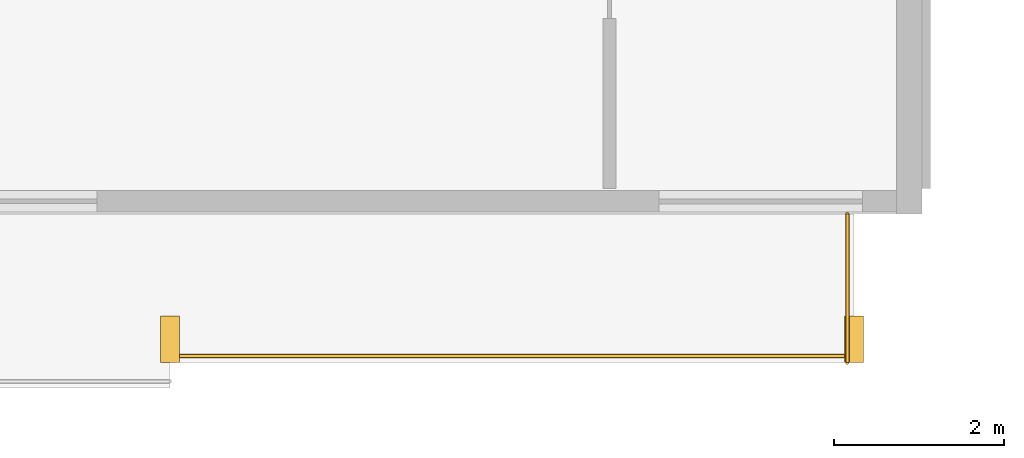
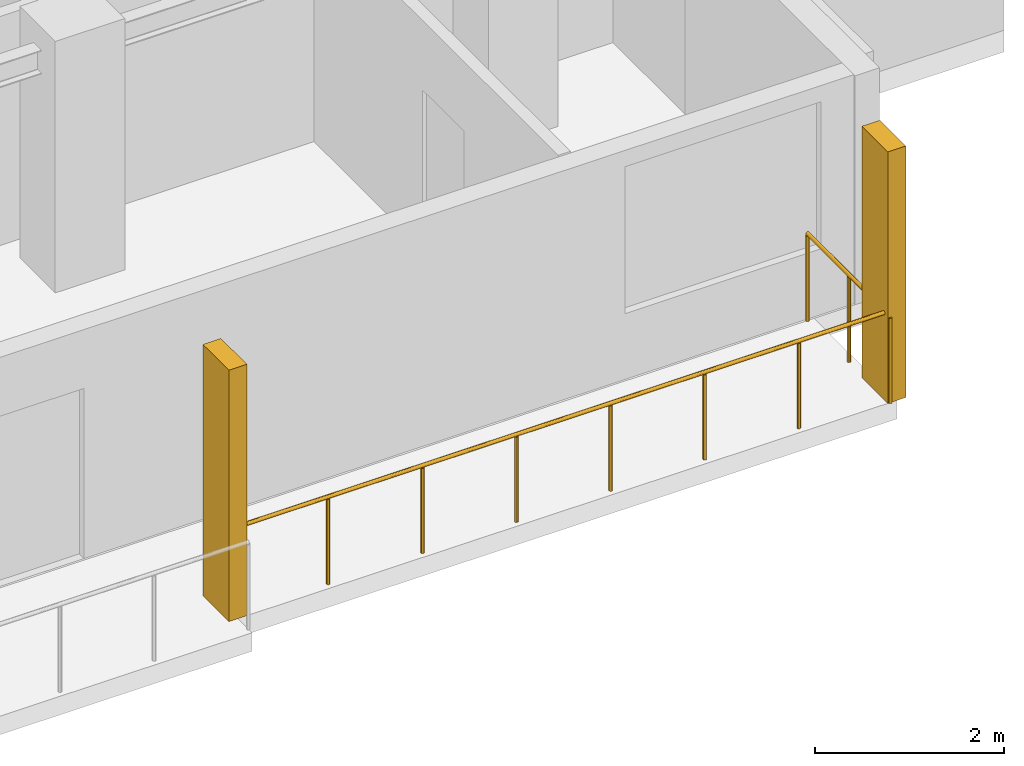
# One storey, part 19 of 21: 2 railings, 2 shading devices.
"""IFC4 building model written with IfcOpenShell, lengths in metres."""

import ifcopenshell
import ifcopenshell.guid

model = None  # the IFC model being written
_history = None  # IfcOwnerHistory: only IFC2X3 demands one
_inside = {}  # id of a spatial element -> (the spatial element, [elements in it])
_under = {}  # id of a project, library or spatial element -> (it, [spatial elements below it])
_declared = {}  # id of a project -> (the project, [libraries it declares])
_typed = {}  # id of a type object -> (the type object, [elements of that type])
_made_of = {}  # id of a material, layer set ... -> (it, [elements and type objects made of it])


def new_model(schema):
    """Start an empty IFC model of exactly this schema.

    Asked for "IFC4X3", IfcOpenShell would pick the latest addendum, in which some entities
    have other attributes; the version numbers below select the first issue.
    IFC2X3 requires an IfcOwnerHistory on every rooted entity: one is made here for all.
    """
    global model, _history
    if schema == "IFC4X3":
        model = ifcopenshell.file(schema_version=(4, 3, 0, 0))
    else:
        model = ifcopenshell.file(schema=schema)
    _inside.clear()
    _under.clear()
    _declared.clear()
    _typed.clear()
    _made_of.clear()
    _history = None
    if model.schema == "IFC2X3":
        org = make("IfcOrganization", Name="unknown")
        user = make(
            "IfcPersonAndOrganization",
            ThePerson=make("IfcPerson", FamilyName="unknown"),
            TheOrganization=org,
        )
        app = make(
            "IfcApplication",
            ApplicationDeveloper=org,
            Version="unknown",
            ApplicationFullName="unknown",
            ApplicationIdentifier="unknown",
        )
        _history = make(
            "IfcOwnerHistory",
            OwningUser=user,
            OwningApplication=app,
            ChangeAction="ADDED",
            CreationDate=0,
        )
    return model


def make(cls, **values):
    """One entity of the class cls with the attributes given. An attribute that is None is left unset."""
    return model.create_entity(
        cls, **{name: value for name, value in values.items() if value is not None}
    )


def rooted(cls, **values):
    """An entity with a GlobalId (a new one), such as an element, a storey or a relation."""
    return make(cls, GlobalId=ifcopenshell.guid.new(), OwnerHistory=_history, **values)


def si_unit(unit_type, name, prefix=None):
    """IfcSIUnit, for example si_unit("LENGTHUNIT", "METRE", prefix="MILLI")."""
    return make("IfcSIUnit", UnitType=unit_type, Prefix=prefix, Name=name)


def assignment(units):
    """IfcUnitAssignment: the units of a project."""
    return None if units is None else make("IfcUnitAssignment", Units=units)


def point(xyz):
    """IfcCartesianPoint."""
    return None if xyz is None else make("IfcCartesianPoint", Coordinates=xyz)


def direction(xyz):
    """IfcDirection."""
    return None if xyz is None else make("IfcDirection", DirectionRatios=xyz)


def frame(location, z_axis=None, x_axis=None):
    """IfcAxis2Placement3D, a coordinate frame: its origin and axes. An axis left out is left unset."""
    return make(
        "IfcAxis2Placement3D",
        Location=point(location),
        Axis=direction(z_axis),
        RefDirection=direction(x_axis),
    )


def frame_2d(location, x_axis=None):
    """IfcAxis2Placement2D, a coordinate frame in the plane: its origin and x axis."""
    return make(
        "IfcAxis2Placement2D", Location=point(location), RefDirection=direction(x_axis)
    )


def origin():
    """The frame at (0, 0, 0) with its axes left unset."""
    return frame((0.0, 0.0, 0.0))


def origin_2d():
    """The frame at (0, 0) in the plane with its x axis left unset."""
    return frame_2d((0.0, 0.0))


def place(relative_to, where):
    """IfcLocalPlacement: puts the frame where relative to a parent placement (None: the world)."""
    return make(
        "IfcLocalPlacement", PlacementRelTo=relative_to, RelativePlacement=where
    )


def context(
    kind, dimensions, precision=None, world=None, true_north=None, identifier=None
):
    """IfcGeometricRepresentationContext, for example the 3D "Model" context."""
    return make(
        "IfcGeometricRepresentationContext",
        ContextIdentifier=identifier,
        ContextType=kind,
        CoordinateSpaceDimension=dimensions,
        Precision=precision,
        WorldCoordinateSystem=world,
        TrueNorth=true_north,
    )


def subcontext(parent, identifier, kind, view, scale=None):
    """IfcGeometricRepresentationSubContext, for example "Body" below "Model"."""
    return make(
        "IfcGeometricRepresentationSubContext",
        ContextIdentifier=identifier,
        ContextType=kind,
        ParentContext=parent,
        TargetScale=scale,
        TargetView=view,
    )


def project(units=None, contexts=None):
    """IfcProject with its units and contexts."""
    return rooted(
        "IfcProject",
        Name="project",
        RepresentationContexts=contexts,
        UnitsInContext=assignment(units),
    )


def spatial(cls, under=None, at=None, **own):
    """A site, building, storey or space (cls), placed at a placement, below another one or the project."""
    s = rooted(cls, ObjectPlacement=at, **own)
    if under is not None:
        _under.setdefault(under.id(), (under, []))[1].append(s)
    return s


def profile(cls, at=None, kind="AREA", **sizes):
    """A parametric profile (cls). Its sizes go by their IFC names, for example OverallWidth=200.0."""
    return make(cls, ProfileType=kind, Position=at, **sizes)


def rectangle(**sizes):
    """IfcRectangleProfileDef."""
    return profile("IfcRectangleProfileDef", **sizes)


def circle(**sizes):
    """IfcCircleProfileDef."""
    return profile("IfcCircleProfileDef", **sizes)


def extrude(swept, where, along, depth):
    """IfcExtrudedAreaSolid: the profile swept, set in the frame where, extruded along a direction by depth."""
    return make(
        "IfcExtrudedAreaSolid",
        SweptArea=swept,
        Position=where,
        ExtrudedDirection=direction(along),
        Depth=depth,
    )


def shape(context_of_items, identifier, shape_type, items):
    """IfcShapeRepresentation: the items that make up one representation, for example the "Body"."""
    return make(
        "IfcShapeRepresentation",
        ContextOfItems=context_of_items,
        RepresentationIdentifier=identifier,
        RepresentationType=shape_type,
        Items=items,
    )


def material(Name=None, Category=None):
    """IfcMaterial."""
    return make("IfcMaterial", Name=Name, Category=Category)


def made_of(thing, what):
    """Note that an element or type object is made of a material, layer set ...; save() writes the relation."""
    if what is not None:
        _made_of.setdefault(what.id(), (what, []))[1].append(thing)
    return thing


def type_object(cls, material=None, **own):
    """A type object (cls), such as IfcWallType, which elements share."""
    return made_of(rooted(cls, **own), material)


def element(
    cls,
    number,
    at=None,
    inside=None,
    cuts=None,
    type_object=None,
    material=None,
    context=None,
    identifier="Body",
    shape_type=None,
    held_by="IfcProductDefinitionShape",
    body=None,
    shapes=None,
    **own,
):
    """One element of the class cls, such as IfcWall. Its Tag is "e" and its number.

    at: its placement. inside: the storey or other place that contains it. cuts: it is an
    opening in that element (IfcRelVoidsElement). A single representation is given by context,
    identifier, shape_type and body (its items); several are given by shapes. held_by: the class
    of the entity that holds the representations. save() writes the other relations.
    """
    e = rooted(cls, Tag="e%d" % number, ObjectPlacement=at, **own)
    if body is not None:
        shapes = [shape(context, identifier, shape_type, body)]
    if shapes is not None:
        e.Representation = make(held_by, Representations=shapes)
    if inside is not None:
        _inside.setdefault(inside.id(), (inside, []))[1].append(e)
    if cuts is not None:
        rooted(
            "IfcRelVoidsElement", RelatingBuildingElement=cuts, RelatedOpeningElement=e
        )
    if type_object is not None:
        _typed.setdefault(type_object.id(), (type_object, []))[1].append(e)
    return made_of(e, material)


def aggregate(whole, parts):
    """IfcRelAggregates: a whole, such as a stair, and the parts it consists of."""
    return rooted("IfcRelAggregates", RelatingObject=whole, RelatedObjects=parts)


def save(model, path):
    """Write the relations noted so far, then the file.

    IfcRelAggregates (storeys below a building ...), IfcRelContainedInSpatialStructure (elements
    in a storey), IfcRelDefinesByType, IfcRelAssociatesMaterial and IfcRelDeclares: one each for
    every whole, place, type object, material and project.
    """
    for whole, parts in _under.values():
        aggregate(whole, parts)
    for where, things in _inside.values():
        rooted(
            "IfcRelContainedInSpatialStructure",
            RelatedElements=things,
            RelatingStructure=where,
        )
    for kind, things in _typed.values():
        rooted("IfcRelDefinesByType", RelatedObjects=things, RelatingType=kind)
    for what, things in _made_of.values():
        rooted("IfcRelAssociatesMaterial", RelatedObjects=things, RelatingMaterial=what)
    for by, libraries in _declared.values():
        rooted("IfcRelDeclares", RelatingContext=by, RelatedDefinitions=libraries)
    model.write(path)


model = new_model("IFC4")

# Units and contexts
model_context = context("Model", 3, precision=1e-05, world=origin(), true_north=direction((0.0, 1.0)))
body_context = subcontext(model_context, "Body", "Model", "MODEL_VIEW")
ifc_project = project(units=[si_unit("LENGTHUNIT", "METRE"), si_unit("AREAUNIT", "SQUARE_METRE"), si_unit("VOLUMEUNIT", "CUBIC_METRE"), si_unit("PLANEANGLEUNIT", "RADIAN"), si_unit("MASSUNIT", "GRAM", prefix="KILO")], contexts=[model_context])

# Site, building, storey
site_placement = place(None, origin())
site = spatial("IfcSite", under=ifc_project, at=site_placement, CompositionType="ELEMENT")
building_placement = place(site_placement, origin())
building = spatial("IfcBuilding", under=site, at=building_placement, Name="Korimba Cascade Residences", CompositionType="ELEMENT")
storey_placement = place(building_placement, frame((0.0, 0.0, 136.050048828125)))
storey = spatial("IfcBuildingStorey", under=building, at=storey_placement, Name="L39", CompositionType="ELEMENT", Elevation=136.050048828125)

# Railings
ifc_material_1 = material(Name="Laminated Glass and Bronze Balustrade", Category="glass")
railing_type = type_object("IfcRailingType", Name="RLG-LOG-1150", PredefinedType="BALUSTRADE", material=ifc_material_1)
railing_1_placement = place(storey_placement, frame((121.843017578125, -10.669921875, 0.0)))
element("IfcRailing", 1, at=railing_1_placement, inside=storey, type_object=railing_type, Name="L39 Perimeter Guardrail RLG-L39-T2-LOG-06", PredefinedType="BALUSTRADE", context=body_context, shape_type="SweptSolid", body=[
    extrude(circle(Radius=0.02392578125, at=origin_2d()), frame((0.0, 0.0, 1.1259765625), z_axis=(1.0, 0.0, 0.0), x_axis=(0.0, 1.0, 0.0)), (0.0, 0.0, 1.0), 8.056884765625),
    extrude(circle(Radius=0.02099609375, at=origin_2d()), origin(), (0.0, 0.0, 1.0), 1.101806640625),
    extrude(circle(Radius=0.02099609375, at=origin_2d()), frame((1.15087890625, 0.0, 0.0)), (0.0, 0.0, 1.0), 1.101806640625),
    extrude(circle(Radius=0.02099609375, at=origin_2d()), frame((2.302001953125, 0.0, 0.0)), (0.0, 0.0, 1.0), 1.101806640625),
    extrude(circle(Radius=0.02099609375, at=origin_2d()), frame((3.452880859375, 0.0, 0.0)), (0.0, 0.0, 1.0), 1.101806640625),
    extrude(circle(Radius=0.02099609375, at=origin_2d()), frame((4.60400390625, 0.0, 0.0)), (0.0, 0.0, 1.0), 1.101806640625),
    extrude(circle(Radius=0.02099609375, at=origin_2d()), frame((5.7548828125, 0.0, 0.0)), (0.0, 0.0, 1.0), 1.101806640625),
    extrude(circle(Radius=0.02099609375, at=origin_2d()), frame((6.906005859375, 0.0, 0.0)), (0.0, 0.0, 1.0), 1.101806640625),
    extrude(circle(Radius=0.02099609375, at=origin_2d()), frame((8.056884765625, 0.0, 0.0)), (0.0, 0.0, 1.0), 1.101806640625),
])
railing_2_placement = place(storey_placement, frame((129.820068359375, -10.75, 0.0)))
element("IfcRailing", 2, at=railing_2_placement, inside=storey, type_object=railing_type, Name="L39 Perimeter Guardrail RLG-L39-T2-LOG-07", PredefinedType="BALUSTRADE", context=body_context, shape_type="SweptSolid", body=[
    extrude(circle(Radius=0.02392578125, at=origin_2d()), frame((0.0, 0.0, 1.1259765625), z_axis=(0.0, 1.0, 0.0), x_axis=(-1.0, 0.0, 0.0)), (0.0, 0.0, 1.0), 1.75),
    extrude(circle(Radius=0.02099609375, at=origin_2d()), origin(), (0.0, 0.0, 1.0), 1.101806640625),
    extrude(circle(Radius=0.02099609375, at=origin_2d()), frame((0.0, 0.875, 0.0)), (0.0, 0.0, 1.0), 1.101806640625),
    extrude(circle(Radius=0.02099609375, at=origin_2d()), frame((0.0, 1.75, 0.0)), (0.0, 0.0, 1.0), 1.101806640625),
])

# Shading devices
ifc_material_2 = material(Name="Honed Sandstone Precast Fin", Category="masonry")
shading_device_type = type_object("IfcShadingDeviceType", Name="SHD-FIN-550", PredefinedType="USERDEFINED", material=ifc_material_2)
for number, where, z_axis, x_axis, name in (
    (3, (121.843017578125, -10.47509765625, 0.0), (0.0, 0.0, 1.0), (1.0, 0.0, 0.0), "L39 T2 Warm-Stone Loggia Fin 7"),
    (4, (129.89990234375, -10.47509765625, 0.0), (0.0, 0.0, 1.0), (1.0, 0.0, 0.0), "L39 T2 Warm-Stone Loggia Fin 8"),
):
    element("IfcShadingDevice", number, at=place(storey_placement, frame(where, z_axis=z_axis, x_axis=x_axis)), inside=storey, type_object=shading_device_type, Name=name, ObjectType="FIN", PredefinedType="USERDEFINED", context=body_context, shape_type="SweptSolid", body=[
        extrude(rectangle(XDim=0.219970703125, YDim=0.550048828125, at=origin_2d()), origin(), (0.0, 0.0, 1.0), 3.25),
    ])

save(model, "model.ifc")
